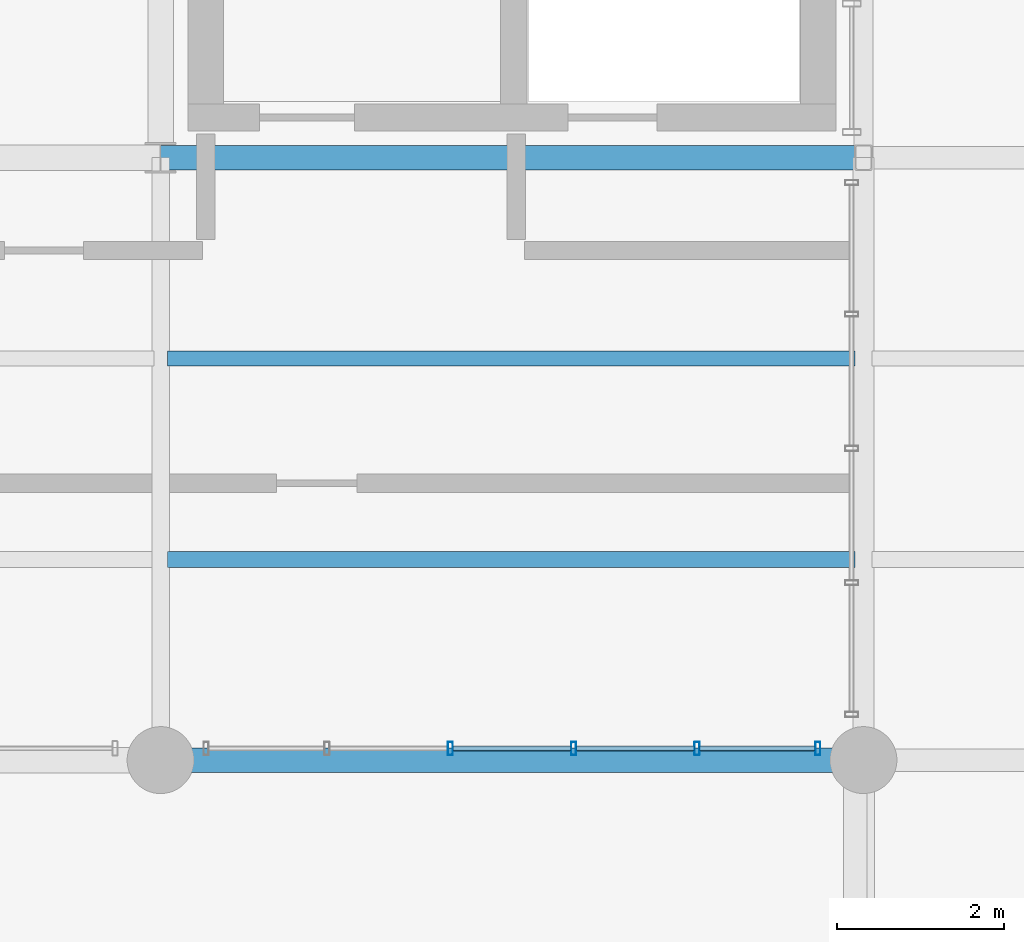
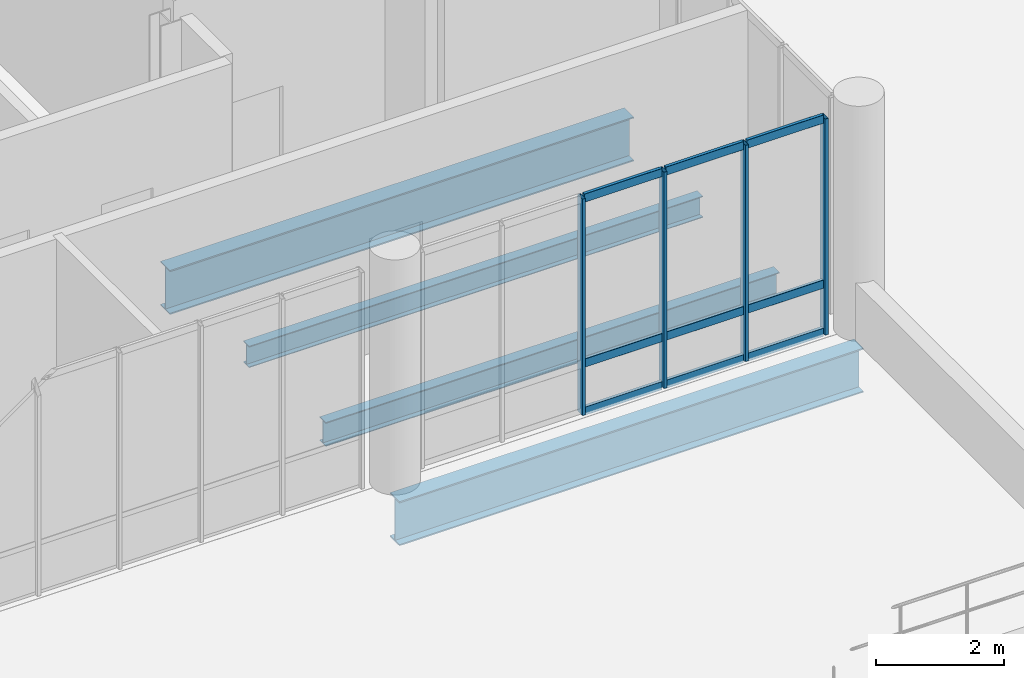
# One storey, part 13 of 68: 13 members, 4 beams, 1 element without a shape of its own.
"""IFC4 building model written with IfcOpenShell, lengths in metres."""

from ifc_helpers import new_model, si_unit, direction, frame, origin_with_axes, origin_2d_with_axis, place, context, subcontext, project, spatial, hollow_rectangle, i_section, extrude, material, material_profile, profile_set, type_object, element, aggregate, save


model = new_model("IFC4")

# Units and contexts
model_context = context("Model", 3, precision=1e-05, world=origin_with_axes(), true_north=direction((0.0, 1.0)))
body_context = subcontext(model_context, "Body", "Model", "MODEL_VIEW")
ifc_project = project(units=[si_unit("LENGTHUNIT", "METRE"), si_unit("AREAUNIT", "SQUARE_METRE"), si_unit("VOLUMEUNIT", "CUBIC_METRE"), si_unit("PLANEANGLEUNIT", "RADIAN"), si_unit("MASSUNIT", "GRAM", prefix="KILO"), si_unit("THERMODYNAMICTEMPERATUREUNIT", "KELVIN")], contexts=[model_context])

# Site, building, storey
site_placement = place(None, origin_with_axes())
site = spatial("IfcSite", under=ifc_project, at=site_placement, CompositionType="ELEMENT")
building_placement = place(site_placement, origin_with_axes())
building = spatial("IfcBuilding", under=site, at=building_placement, Name="Montbau Bow Law Courts", CompositionType="ELEMENT")
storey_placement = place(building_placement, frame((0.0, 0.0, 20.4), z_axis=(0.0, 0.0, 1.0), x_axis=(1.0, 0.0, 0.0)))
storey = spatial("IfcBuildingStorey", under=building, at=storey_placement, Name="L04", CompositionType="ELEMENT", Elevation=20.4)

# Beams
ifc_material_1 = material(Name="Steel CSA G40.21 Grade 350W (350 MPa)", Category="steel")
ifc_material_profile_1 = material_profile(ifc_material_1, i_section(OverallWidth=0.293, OverallDepth=0.846, WebThickness=0.0154, FlangeThickness=0.0244, at=origin_2d_with_axis()), Name="W840X210", Category="Main", Priority=0)
ifc_profile_set_1 = profile_set([ifc_material_profile_1], Name="Steel CSA G40.21 Grade 350W (350 MPa)")
beam_type_1 = type_object("IfcBeamType", Name="B-FLR-02", PredefinedType="BEAM", material=ifc_profile_set_1)
for number, where, z_axis, x_axis, name in (
    (1, (30.6, 39.0, 19.657), (1.0, 0.0, 0.0), (0.0, 1.0, 0.0), "BM-L04-S0625:bm2_0628"),
    (2, (30.6, 46.2, 19.717), (1.0, 0.0, 0.0), (0.0, 1.0, 0.0), "BM-L04-S0630:bm2_0633"),
):
    element("IfcBeam", number, at=place(None, frame(where, z_axis=z_axis, x_axis=x_axis)), inside=storey, type_object=beam_type_1, Name=name, PredefinedType="BEAM", context=body_context, shape_type="SweptSolid", body=[
        extrude(i_section(OverallWidth=0.293, OverallDepth=0.846, WebThickness=0.0154, FlangeThickness=0.0244, at=origin_2d_with_axis()), origin_with_axes(), (0.0, 0.0, 1.0), 8.4),
    ])
ifc_material_profile_2 = material_profile(ifc_material_1, i_section(OverallWidth=0.191, OverallDepth=0.46, WebThickness=0.0099, FlangeThickness=0.016, at=origin_2d_with_axis()), Name="W460X82", Category="Main", Priority=0)
ifc_profile_set_2 = profile_set([ifc_material_profile_2], Name="Steel CSA G40.21 Grade 350W (350 MPa)")
beam_type_2 = type_object("IfcBeamType", Name="B-JST-01", PredefinedType="JOIST", material=ifc_profile_set_2)
beam_1_placement = place(None, frame((30.681, 41.4, 19.85), z_axis=(1.0, 0.0, 0.0), x_axis=(0.0, 1.0, 0.0)))
element("IfcBeam", 3, at=beam_1_placement, inside=storey, type_object=beam_type_2, Name="JST-L04-S0312:jst2_0312", PredefinedType="JOIST", context=body_context, shape_type="SweptSolid", body=[
    extrude(i_section(OverallWidth=0.191, OverallDepth=0.46, WebThickness=0.0099, FlangeThickness=0.016, at=origin_2d_with_axis()), origin_with_axes(), (0.0, 0.0, 1.0), 8.216),
])
ifc_material_profile_3 = material_profile(ifc_material_1, i_section(OverallWidth=0.179, OverallDepth=0.41, WebThickness=0.0088, FlangeThickness=0.0144, at=origin_2d_with_axis()), Name="W410X67", Category="Main", Priority=0)
ifc_profile_set_3 = profile_set([ifc_material_profile_3], Name="Steel CSA G40.21 Grade 350W (350 MPa)")
beam_type_3 = type_object("IfcBeamType", Name="B-JST-02", PredefinedType="JOIST", material=ifc_profile_set_3)
beam_2_placement = place(None, frame((30.681, 43.8, 19.875), z_axis=(1.0, 0.0, 0.0), x_axis=(0.0, 1.0, 0.0)))
element("IfcBeam", 4, at=beam_2_placement, inside=storey, type_object=beam_type_3, Name="JST-L04-S0313:jst2_0313", PredefinedType="JOIST", context=body_context, shape_type="SweptSolid", body=[
    extrude(i_section(OverallWidth=0.179, OverallDepth=0.41, WebThickness=0.0088, FlangeThickness=0.0144, at=origin_2d_with_axis()), origin_with_axes(), (0.0, 0.0, 1.0), 8.216),
])

# Curtain wall, members
ifc_material_2 = material(Name="Thermally Broken Extruded Aluminium AA 6063-T6", Category="aluminium")
curtain_wall_type = type_object("IfcCurtainWallType", Name="CW-NCK-01", PredefinedType="NOTDEFINED", material=ifc_material_2)
curtain_wall_placement = place(None, frame((31.115, 39.14, 20.4), z_axis=(0.0, 0.0, 1.0), x_axis=(1.0, 0.0, 0.0)))
curtain_wall = element("IfcCurtainWall", 5, at=curtain_wall_placement, inside=storey, type_object=curtain_wall_type, Name="CW-L04-068:cw_0068", PredefinedType="NOTDEFINED")
ifc_material_profile_4 = material_profile(ifc_material_2, hollow_rectangle(XDim=0.06, YDim=0.16, WallThickness=0.004, InnerFilletRadius=0.008, OuterFilletRadius=0.004, at=origin_2d_with_axis()), Name="CWM-160X60", Category="Main", Priority=0)
ifc_profile_set_4 = profile_set([ifc_material_profile_4], Name="Thermally Broken Extruded Aluminium AA 6063-T6")
member_type_1 = type_object("IfcMemberType", Name="M-MUL-03", PredefinedType="MULLION", material=ifc_profile_set_4)
member_1_placement = place(None, frame((34.063, 39.14, 20.4), z_axis=(0.0, 0.0, 1.0), x_axis=(1.0, 0.0, 0.0)))
member_1 = element("IfcMember", 6, at=member_1_placement, type_object=member_type_1, Name="CW-L04-068-M03:cw_0068_M03", PredefinedType="MULLION", context=body_context, shape_type="SweptSolid", body=[
    extrude(hollow_rectangle(XDim=0.06, YDim=0.16, WallThickness=0.004, InnerFilletRadius=0.008, OuterFilletRadius=0.004, at=origin_2d_with_axis()), origin_with_axes(), (0.0, 0.0, 1.0), 4.14),
])
member_2_placement = place(None, frame((35.537, 39.14, 20.4), z_axis=(0.0, 0.0, 1.0), x_axis=(1.0, 0.0, 0.0)))
member_2 = element("IfcMember", 7, at=member_2_placement, type_object=member_type_1, Name="CW-L04-068-M04:cw_0068_M04", PredefinedType="MULLION", context=body_context, shape_type="SweptSolid", body=[
    extrude(hollow_rectangle(XDim=0.06, YDim=0.16, WallThickness=0.004, InnerFilletRadius=0.008, OuterFilletRadius=0.004, at=origin_2d_with_axis()), origin_with_axes(), (0.0, 0.0, 1.0), 4.14),
])
member_3_placement = place(None, frame((37.011, 39.14, 20.4), z_axis=(0.0, 0.0, 1.0), x_axis=(1.0, 0.0, 0.0)))
member_3 = element("IfcMember", 8, at=member_3_placement, type_object=member_type_1, Name="CW-L04-068-M05:cw_0068_M05", PredefinedType="MULLION", context=body_context, shape_type="SweptSolid", body=[
    extrude(hollow_rectangle(XDim=0.06, YDim=0.16, WallThickness=0.004, InnerFilletRadius=0.008, OuterFilletRadius=0.004, at=origin_2d_with_axis()), origin_with_axes(), (0.0, 0.0, 1.0), 4.14),
])
member_4_placement = place(None, frame((38.455, 39.14, 20.4), z_axis=(0.0, 0.0, 1.0), x_axis=(1.0, 0.0, 0.0)))
member_4 = element("IfcMember", 9, at=member_4_placement, type_object=member_type_1, Name="CW-L04-068-M06:cw_0068_M06", PredefinedType="MULLION", context=body_context, shape_type="SweptSolid", body=[
    extrude(hollow_rectangle(XDim=0.06, YDim=0.16, WallThickness=0.004, InnerFilletRadius=0.008, OuterFilletRadius=0.004, at=origin_2d_with_axis()), origin_with_axes(), (0.0, 0.0, 1.0), 4.14),
])
ifc_material_profile_5 = material_profile(ifc_material_2, hollow_rectangle(XDim=0.06, YDim=0.16, WallThickness=0.004, InnerFilletRadius=0.008, OuterFilletRadius=0.004, at=origin_2d_with_axis()), Name="CWT-160X60", Category="Main", Priority=0)
ifc_profile_set_5 = profile_set([ifc_material_profile_5], Name="Thermally Broken Extruded Aluminium AA 6063-T6")
member_type_2 = type_object("IfcMemberType", Name="M-TRN-01", PredefinedType="USERDEFINED", material=ifc_profile_set_5)
member_5_placement = place(None, frame((34.095, 39.14, 20.43), z_axis=(1.0, 0.0, 0.0), x_axis=(0.0, 1.0, 0.0)))
member_5 = element("IfcMember", 10, at=member_5_placement, type_object=member_type_2, Name="CW-L04-068-T03-1:cw_0068_T03_1", ObjectType="TRANSOM", PredefinedType="USERDEFINED", context=body_context, shape_type="SweptSolid", body=[
    extrude(hollow_rectangle(XDim=0.06, YDim=0.16, WallThickness=0.004, InnerFilletRadius=0.008, OuterFilletRadius=0.004, at=origin_2d_with_axis()), origin_with_axes(), (0.0, 0.0, 1.0), 1.41),
])
member_6_placement = place(None, frame((34.095, 39.14, 21.35), z_axis=(1.0, 0.0, 0.0), x_axis=(0.0, 1.0, 0.0)))
member_6 = element("IfcMember", 11, at=member_6_placement, type_object=member_type_2, Name="CW-L04-068-T03-2:cw_0068_T03_2", ObjectType="TRANSOM", PredefinedType="USERDEFINED", context=body_context, shape_type="SweptSolid", body=[
    extrude(hollow_rectangle(XDim=0.06, YDim=0.16, WallThickness=0.004, InnerFilletRadius=0.008, OuterFilletRadius=0.004, at=origin_2d_with_axis()), origin_with_axes(), (0.0, 0.0, 1.0), 1.41),
])
member_7_placement = place(None, frame((34.095, 39.14, 24.51), z_axis=(1.0, 0.0, 0.0), x_axis=(0.0, 1.0, 0.0)))
member_7 = element("IfcMember", 12, at=member_7_placement, type_object=member_type_2, Name="CW-L04-068-T03-3:cw_0068_T03_3", ObjectType="TRANSOM", PredefinedType="USERDEFINED", context=body_context, shape_type="SweptSolid", body=[
    extrude(hollow_rectangle(XDim=0.06, YDim=0.16, WallThickness=0.004, InnerFilletRadius=0.008, OuterFilletRadius=0.004, at=origin_2d_with_axis()), origin_with_axes(), (0.0, 0.0, 1.0), 1.41),
])
member_8_placement = place(None, frame((35.569, 39.14, 20.43), z_axis=(1.0, 0.0, 0.0), x_axis=(0.0, 1.0, 0.0)))
member_8 = element("IfcMember", 13, at=member_8_placement, type_object=member_type_2, Name="CW-L04-068-T04-1:cw_0068_T04_1", ObjectType="TRANSOM", PredefinedType="USERDEFINED", context=body_context, shape_type="SweptSolid", body=[
    extrude(hollow_rectangle(XDim=0.06, YDim=0.16, WallThickness=0.004, InnerFilletRadius=0.008, OuterFilletRadius=0.004, at=origin_2d_with_axis()), origin_with_axes(), (0.0, 0.0, 1.0), 1.41),
])
member_9_placement = place(None, frame((35.569, 39.14, 21.35), z_axis=(1.0, 0.0, 0.0), x_axis=(0.0, 1.0, 0.0)))
member_9 = element("IfcMember", 14, at=member_9_placement, type_object=member_type_2, Name="CW-L04-068-T04-2:cw_0068_T04_2", ObjectType="TRANSOM", PredefinedType="USERDEFINED", context=body_context, shape_type="SweptSolid", body=[
    extrude(hollow_rectangle(XDim=0.06, YDim=0.16, WallThickness=0.004, InnerFilletRadius=0.008, OuterFilletRadius=0.004, at=origin_2d_with_axis()), origin_with_axes(), (0.0, 0.0, 1.0), 1.41),
])
member_10_placement = place(None, frame((35.569, 39.14, 24.51), z_axis=(1.0, 0.0, 0.0), x_axis=(0.0, 1.0, 0.0)))
member_10 = element("IfcMember", 15, at=member_10_placement, type_object=member_type_2, Name="CW-L04-068-T04-3:cw_0068_T04_3", ObjectType="TRANSOM", PredefinedType="USERDEFINED", context=body_context, shape_type="SweptSolid", body=[
    extrude(hollow_rectangle(XDim=0.06, YDim=0.16, WallThickness=0.004, InnerFilletRadius=0.008, OuterFilletRadius=0.004, at=origin_2d_with_axis()), origin_with_axes(), (0.0, 0.0, 1.0), 1.41),
])
member_11_placement = place(None, frame((37.043, 39.14, 20.43), z_axis=(1.0, 0.0, 0.0), x_axis=(0.0, 1.0, 0.0)))
member_11 = element("IfcMember", 16, at=member_11_placement, type_object=member_type_2, Name="CW-L04-068-T05-1:cw_0068_T05_1", ObjectType="TRANSOM", PredefinedType="USERDEFINED", context=body_context, shape_type="SweptSolid", body=[
    extrude(hollow_rectangle(XDim=0.06, YDim=0.16, WallThickness=0.004, InnerFilletRadius=0.008, OuterFilletRadius=0.004, at=origin_2d_with_axis()), origin_with_axes(), (0.0, 0.0, 1.0), 1.38),
])
member_12_placement = place(None, frame((37.043, 39.14, 21.35), z_axis=(1.0, 0.0, 0.0), x_axis=(0.0, 1.0, 0.0)))
member_12 = element("IfcMember", 17, at=member_12_placement, type_object=member_type_2, Name="CW-L04-068-T05-2:cw_0068_T05_2", ObjectType="TRANSOM", PredefinedType="USERDEFINED", context=body_context, shape_type="SweptSolid", body=[
    extrude(hollow_rectangle(XDim=0.06, YDim=0.16, WallThickness=0.004, InnerFilletRadius=0.008, OuterFilletRadius=0.004, at=origin_2d_with_axis()), origin_with_axes(), (0.0, 0.0, 1.0), 1.38),
])
member_13_placement = place(None, frame((37.043, 39.14, 24.51), z_axis=(1.0, 0.0, 0.0), x_axis=(0.0, 1.0, 0.0)))
member_13 = element("IfcMember", 18, at=member_13_placement, type_object=member_type_2, Name="CW-L04-068-T05-3:cw_0068_T05_3", ObjectType="TRANSOM", PredefinedType="USERDEFINED", context=body_context, shape_type="SweptSolid", body=[
    extrude(hollow_rectangle(XDim=0.06, YDim=0.16, WallThickness=0.004, InnerFilletRadius=0.008, OuterFilletRadius=0.004, at=origin_2d_with_axis()), origin_with_axes(), (0.0, 0.0, 1.0), 1.38),
])
aggregate(curtain_wall, [member_1, member_2, member_3, member_4, member_5, member_6, member_7, member_8, member_9, member_10, member_11, member_12, member_13])

save(model, "model.ifc")
